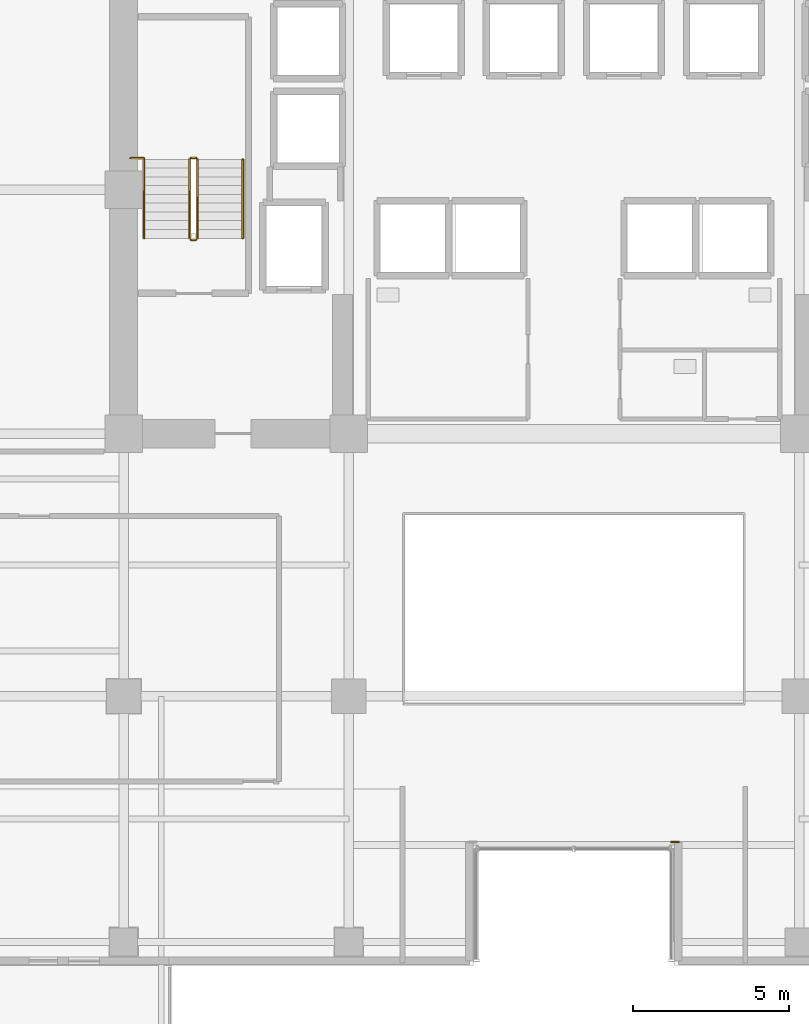
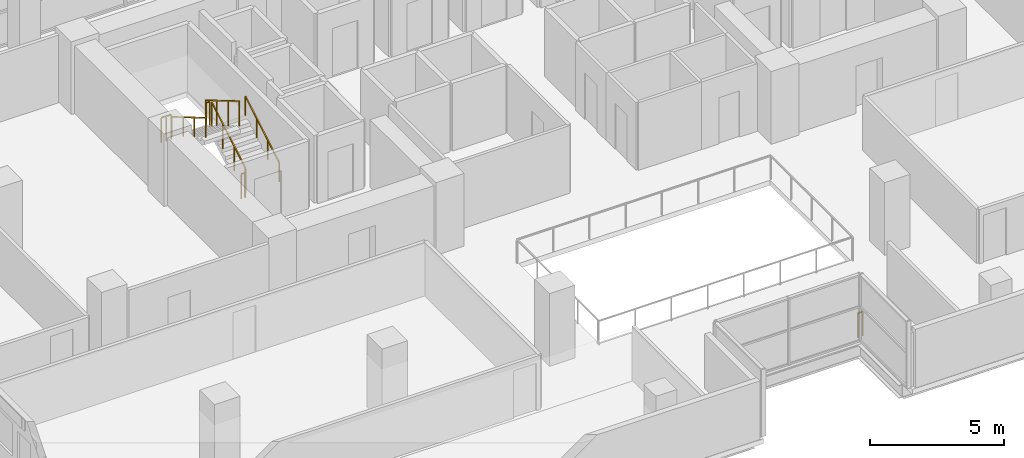
# One storey, part 29 of 31: 8 railings.
"""IFC4 building model written with IfcOpenShell, lengths in metres."""

from ifc_helpers import new_model, si_unit, direction, frame, origin, origin_2d, place, context, subcontext, project, spatial, rectangle, extrude, material, type_object, element, save


model = new_model("IFC4")

# Units and contexts
model_context = context("Model", 3, precision=1e-05, world=origin(), true_north=direction((0.0, 1.0)))
body_context = subcontext(model_context, "Body", "Model", "MODEL_VIEW")
ifc_project = project(units=[si_unit("LENGTHUNIT", "METRE"), si_unit("AREAUNIT", "SQUARE_METRE"), si_unit("VOLUMEUNIT", "CUBIC_METRE"), si_unit("PLANEANGLEUNIT", "RADIAN"), si_unit("MASSUNIT", "GRAM", prefix="KILO")], contexts=[model_context])

# Site, building, storey
site_placement = place(None, origin())
site = spatial("IfcSite", under=ifc_project, at=site_placement, CompositionType="ELEMENT")
building_placement = place(site_placement, origin())
building = spatial("IfcBuilding", under=site, at=building_placement, Name="Zarnakvel Exchange Tower", CompositionType="ELEMENT")
storey_placement = place(building_placement, frame((0.0, 0.0, 60.39990234375)))
storey = spatial("IfcBuildingStorey", under=building, at=storey_placement, Name="L16", CompositionType="ELEMENT", Elevation=60.39990234375)

# Railings
ifc_material_1 = material(Name="Architectural Bronze Anodised Aluminium", Category="aluminium")
railing_type_1 = type_object("IfcRailingType", Name="GR-02", PredefinedType="GUARDRAIL", material=ifc_material_1)
railing_1_placement = place(storey_placement, frame((3.340087890625, -14.260009765625, 0.0)))
element("IfcRailing", 1, at=railing_1_placement, inside=storey, type_object=railing_type_1, Name="L16 Corner Spandrel Balustrade #18", PredefinedType="GUARDRAIL", context=body_context, shape_type="SweptSolid", body=[
    extrude(rectangle(XDim=0.048095703125, YDim=0.048095703125, at=origin_2d()), frame((0.0, 0.0, 1.09619140625), z_axis=(-1.0, 0.0, 0.0), x_axis=(0.0, -1.0, 0.0)), (0.0, 0.0, 1.0), 0.219970703125),
    extrude(rectangle(XDim=0.0419921875, YDim=0.0419921875, at=origin_2d()), origin(), (0.0, 0.0, 1.0), 1.072021484375),
    extrude(rectangle(XDim=0.0419921875, YDim=0.0419921875, at=origin_2d()), frame((-0.219970703125, 0.0, 0.0)), (0.0, 0.0, 1.0), 1.072021484375),
])
ifc_material_2 = material(Name="Brushed Stainless Steel", Category="steel")
railing_type_2 = type_object("IfcRailingType", Name="HR-01", PredefinedType="HANDRAIL", material=ifc_material_2)
railing_2_placement = place(storey_placement, frame((-10.590087890625, 5.050048828125, 0.1650390625)))
element("IfcRailing", 2, at=railing_2_placement, inside=storey, type_object=railing_type_2, Name="L16 ST-01 stair handrail 1", PredefinedType="HANDRAIL", context=body_context, shape_type="SweptSolid", body=[
    extrude(rectangle(XDim=0.048095703125, YDim=0.048095703125, at=origin_2d()), frame((0.0, 0.0, 0.8759765625), z_axis=(0.0, 0.86152411907, 0.507716645641), x_axis=(-1.0, 0.0, 0.0)), (0.0, 0.0, 1.0), 2.925048828125),
    extrude(rectangle(XDim=0.0419921875, YDim=0.0419921875, at=origin_2d()), origin(), (0.0, 0.0, 1.0), 0.851806640625),
    extrude(rectangle(XDim=0.0419921875, YDim=0.0419921875, at=origin_2d()), frame((0.0, 0.840087890625, 0.4951171875)), (0.0, 0.0, 1.0), 0.851806640625),
    extrude(rectangle(XDim=0.0419921875, YDim=0.0419921875, at=origin_2d()), frame((0.0, 1.679931640625, 0.989990234375)), (0.0, 0.0, 1.0), 0.851806640625),
    extrude(rectangle(XDim=0.0419921875, YDim=0.0419921875, at=origin_2d()), frame((0.0, 2.52001953125, 1.485107421875)), (0.0, 0.0, 1.0), 0.851806640625),
])
railing_3_placement = place(storey_placement, frame((-13.75, 7.570068359375, 1.815185546875)))
element("IfcRailing", 3, at=railing_3_placement, inside=storey, type_object=railing_type_2, Name="L16 ST-01 stair handrail 2", PredefinedType="HANDRAIL", context=body_context, shape_type="SweptSolid", body=[
    extrude(rectangle(XDim=0.048095703125, YDim=0.048095703125, at=origin_2d()), frame((0.0, 0.0, 0.8759765625), z_axis=(0.0, -0.861560626758, 0.507654692109), x_axis=(1.0, 0.0, 0.0)), (0.0, 0.0, 1.0), 2.925048828125),
    extrude(rectangle(XDim=0.0419921875, YDim=0.0419921875, at=origin_2d()), origin(), (0.0, 0.0, 1.0), 0.851806640625),
    extrude(rectangle(XDim=0.0419921875, YDim=0.0419921875, at=origin_2d()), frame((0.0, -0.840087890625, 0.494873046875)), (0.0, 0.0, 1.0), 0.851806640625),
    extrude(rectangle(XDim=0.0419921875, YDim=0.0419921875, at=origin_2d()), frame((0.0, -1.679931640625, 0.989990234375)), (0.0, 0.0, 1.0), 0.851806640625),
    extrude(rectangle(XDim=0.0419921875, YDim=0.0419921875, at=origin_2d()), frame((0.0, -2.52001953125, 1.48486328125)), (0.0, 0.0, 1.0), 0.851806640625),
])
railing_type_3 = type_object("IfcRailingType", Name="SG-01", PredefinedType="GUARDRAIL", material=ifc_material_1)
railing_4_placement = place(storey_placement, frame((-12.0400390625, 5.050048828125, 0.1650390625)))
element("IfcRailing", 4, at=railing_4_placement, inside=storey, type_object=railing_type_3, Name="L16 ST-01 stair guard 1", PredefinedType="GUARDRAIL", context=body_context, shape_type="SweptSolid", body=[
    extrude(rectangle(XDim=0.048095703125, YDim=0.048095703125, at=origin_2d()), frame((0.0, 0.0, 1.1259765625), z_axis=(0.0, 0.86152411907, 0.507716645641), x_axis=(-1.0, 0.0, 0.0)), (0.0, 0.0, 1.0), 2.925048828125),
    extrude(rectangle(XDim=0.0419921875, YDim=0.0419921875, at=origin_2d()), origin(), (0.0, 0.0, 1.0), 1.101806640625),
    extrude(rectangle(XDim=0.0419921875, YDim=0.0419921875, at=origin_2d()), frame((0.0, 0.840087890625, 0.4951171875)), (0.0, 0.0, 1.0), 1.101806640625),
    extrude(rectangle(XDim=0.0419921875, YDim=0.0419921875, at=origin_2d()), frame((0.0, 1.679931640625, 0.989990234375)), (0.0, 0.0, 1.0), 1.101806640625),
    extrude(rectangle(XDim=0.0419921875, YDim=0.0419921875, at=origin_2d()), frame((0.0, 2.52001953125, 1.485107421875)), (0.0, 0.0, 1.0), 1.101806640625),
])
railing_5_placement = place(storey_placement, frame((-12.090087890625, 7.6201171875, 1.650146484375)))
element("IfcRailing", 5, at=railing_5_placement, inside=storey, type_object=railing_type_3, Name="L16 ST-01 stair guard 2", PredefinedType="GUARDRAIL", context=body_context, shape_type="SweptSolid", body=[
    extrude(rectangle(XDim=0.048095703125, YDim=0.048095703125, at=origin_2d()), frame((0.0, 0.0, 1.1259765625), z_axis=(-1.0, 0.0, 0.0), x_axis=(0.0, -1.0, 0.0)), (0.0, 0.0, 1.0), 0.159912109375),
    extrude(rectangle(XDim=0.0419921875, YDim=0.0419921875, at=origin_2d()), origin(), (0.0, 0.0, 1.0), 1.101806640625),
    extrude(rectangle(XDim=0.0419921875, YDim=0.0419921875, at=origin_2d()), frame((-0.159912109375, 0.0, 0.0)), (0.0, 0.0, 1.0), 1.101806640625),
])
railing_6_placement = place(storey_placement, frame((-12.300048828125, 7.570068359375, 1.815185546875)))
element("IfcRailing", 6, at=railing_6_placement, inside=storey, type_object=railing_type_3, Name="L16 ST-01 stair guard 3", PredefinedType="GUARDRAIL", context=body_context, shape_type="SweptSolid", body=[
    extrude(rectangle(XDim=0.048095703125, YDim=0.048095703125, at=origin_2d()), frame((0.0, 0.0, 1.1259765625), z_axis=(0.0, -0.861560626758, 0.507654692109), x_axis=(1.0, 0.0, 0.0)), (0.0, 0.0, 1.0), 2.925048828125),
    extrude(rectangle(XDim=0.0419921875, YDim=0.0419921875, at=origin_2d()), origin(), (0.0, 0.0, 1.0), 1.101806640625),
    extrude(rectangle(XDim=0.0419921875, YDim=0.0419921875, at=origin_2d()), frame((0.0, -0.840087890625, 0.494873046875)), (0.0, 0.0, 1.0), 1.101806640625),
    extrude(rectangle(XDim=0.0419921875, YDim=0.0419921875, at=origin_2d()), frame((0.0, -1.679931640625, 0.989990234375)), (0.0, 0.0, 1.0), 1.101806640625),
    extrude(rectangle(XDim=0.0419921875, YDim=0.0419921875, at=origin_2d()), frame((0.0, -2.52001953125, 1.48486328125)), (0.0, 0.0, 1.0), 1.101806640625),
])
railing_7_placement = place(storey_placement, frame((-12.090087890625, 5.0, 0.0)))
element("IfcRailing", 7, at=railing_7_placement, inside=storey, type_object=railing_type_3, Name="L16 ST-01 stair guard 4", PredefinedType="GUARDRAIL", context=body_context, shape_type="SweptSolid", body=[
    extrude(rectangle(XDim=0.048095703125, YDim=0.048095703125, at=origin_2d()), frame((0.0, 0.0, 1.1259765625), z_axis=(-1.0, 0.0, 0.0), x_axis=(0.0, -1.0, 0.0)), (0.0, 0.0, 1.0), 0.159912109375),
    extrude(rectangle(XDim=0.0419921875, YDim=0.0419921875, at=origin_2d()), origin(), (0.0, 0.0, 1.0), 1.101806640625),
    extrude(rectangle(XDim=0.0419921875, YDim=0.0419921875, at=origin_2d()), frame((-0.159912109375, 0.0, 0.0)), (0.0, 0.0, 1.0), 1.101806640625),
])
railing_8_placement = place(storey_placement, frame((-14.179931640625, 7.610107421875, 1.650146484375)))
element("IfcRailing", 8, at=railing_8_placement, inside=storey, type_object=railing_type_3, Name="L16 ST-01 Landing Slot Guardrail", PredefinedType="GUARDRAIL", context=body_context, shape_type="SweptSolid", body=[
    extrude(rectangle(XDim=0.048095703125, YDim=0.048095703125, at=origin_2d()), frame((0.0, 0.0, 1.1259765625), z_axis=(1.0, 0.0, 0.0), x_axis=(0.0, 1.0, 0.0)), (0.0, 0.0, 1.0), 0.429931640625),
    extrude(rectangle(XDim=0.0419921875, YDim=0.0419921875, at=origin_2d()), origin(), (0.0, 0.0, 1.0), 1.101806640625),
    extrude(rectangle(XDim=0.0419921875, YDim=0.0419921875, at=origin_2d()), frame((0.21484375, 0.0, 0.0)), (0.0, 0.0, 1.0), 1.101806640625),
    extrude(rectangle(XDim=0.0419921875, YDim=0.0419921875, at=origin_2d()), frame((0.429931640625, 0.0, 0.0)), (0.0, 0.0, 1.0), 1.101806640625),
])

save(model, "model.ifc")
